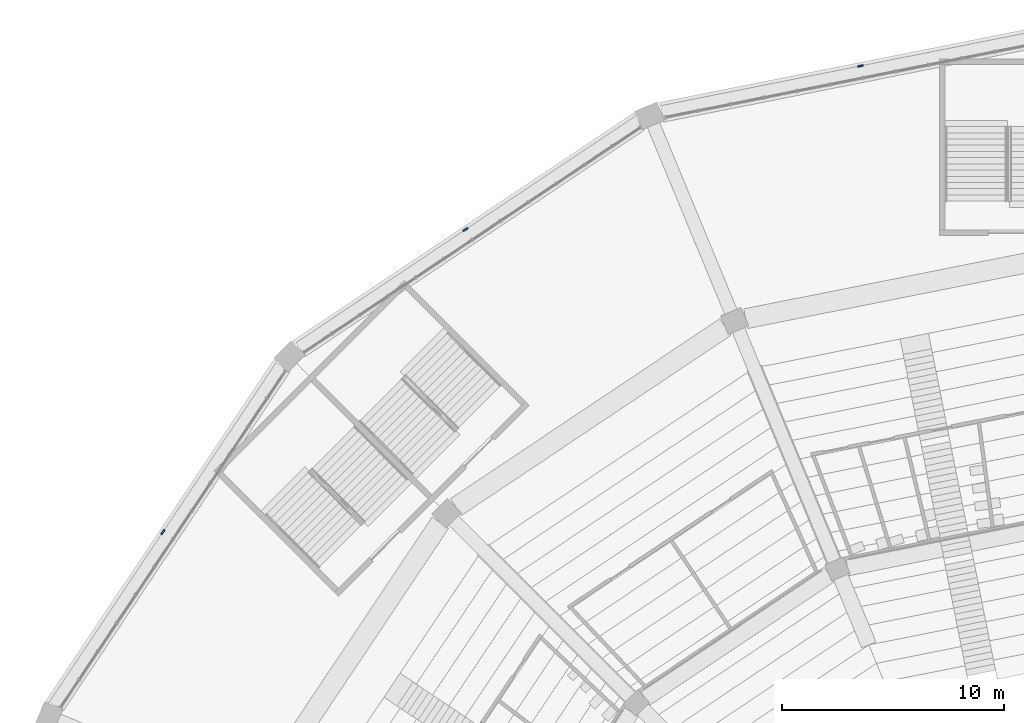
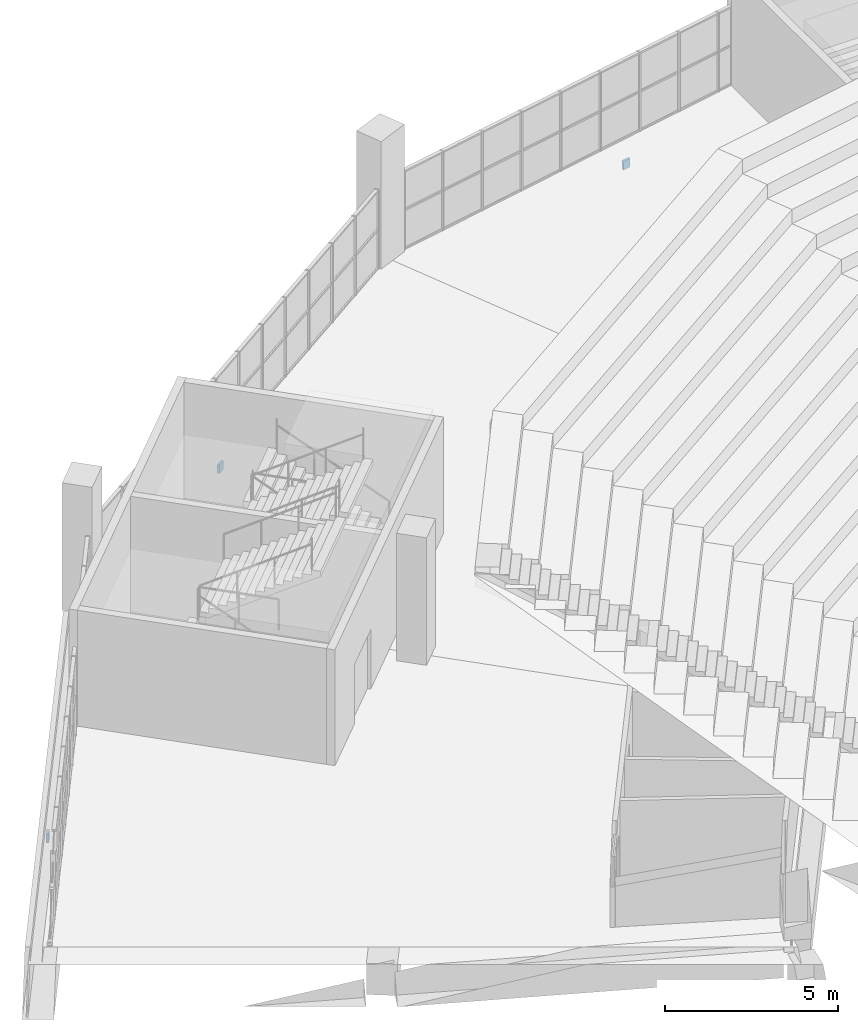
# One storey, part 109 of 249: 3 discrete accessories.
"""IFC4 building model written with IfcOpenShell, lengths in metres."""

from ifc_helpers import new_model, si_unit, direction, frame, origin, origin_2d, place, context, subcontext, project, spatial, rectangle, extrude, material, layer, layer_set, type_object, element, save


model = new_model("IFC4")

# Units and contexts
model_context = context("Model", 3, precision=1e-05, world=origin(), true_north=direction((0.0, 1.0)))
body_context = subcontext(model_context, "Body", "Model", "MODEL_VIEW")
ifc_project = project(units=[si_unit("LENGTHUNIT", "METRE"), si_unit("AREAUNIT", "SQUARE_METRE"), si_unit("VOLUMEUNIT", "CUBIC_METRE"), si_unit("PLANEANGLEUNIT", "RADIAN"), si_unit("MASSUNIT", "GRAM", prefix="KILO")], contexts=[model_context])

# Site, building, storey
site_placement = place(None, origin())
site = spatial("IfcSite", under=ifc_project, at=site_placement, CompositionType="ELEMENT")
building_placement = place(site_placement, origin())
building = spatial("IfcBuilding", under=site, at=building_placement, Name="Ogive Plaza Stadium", CompositionType="ELEMENT")
storey_placement = place(building_placement, frame((0.0, 0.0, 13.5)))
storey = spatial("IfcBuildingStorey", under=building, at=storey_placement, Name="L03", CompositionType="ELEMENT", Elevation=13.5)

# Discrete accessories
ifc_material = material(Name="Steel ASTM A572 Grade 50", Category="steel")
ifc_layer = layer(ifc_material, 0.080078125)
ifc_layer_set = layer_set([ifc_layer], Name="Steel ASTM A572 Grade 50")
discrete_accessory_type = type_object("IfcDiscreteAccessoryType", Name="Spandrel cladding bracket 250x300", PredefinedType="BRACKET", material=ifc_layer_set)
for number, where, z_axis, x_axis, name in (
    (1, (-75.065673828125, 79.939208984375, -1.60986328125), (0.0, 0.0, 1.0), (0.555570233005, 0.831469612312, 0.0), "SPANDREL BRACKET B29 L03"),
    (2, (-61.439208984375, 93.565673828125, -1.60986328125), (0.0, 0.0, 1.0), (0.831469612312, 0.555570233005, 0.0), "SPANDREL BRACKET B30 L03"),
    (3, (-43.635498046875, 100.940185546875, -1.60986328125), (0.0, 0.0, 1.0), (0.980785280403, 0.195090322016, 0.0), "SPANDREL BRACKET B31 L03"),
):
    element("IfcDiscreteAccessory", number, at=place(storey_placement, frame(where, z_axis=z_axis, x_axis=x_axis)), inside=storey, type_object=discrete_accessory_type, Name=name, PredefinedType="BRACKET", context=body_context, shape_type="SweptSolid", body=[
        extrude(rectangle(XDim=0.25, YDim=0.080078125, at=origin_2d()), origin(), (0.0, 0.0, 1.0), 0.300048828125),
    ])

save(model, "model.ifc")
